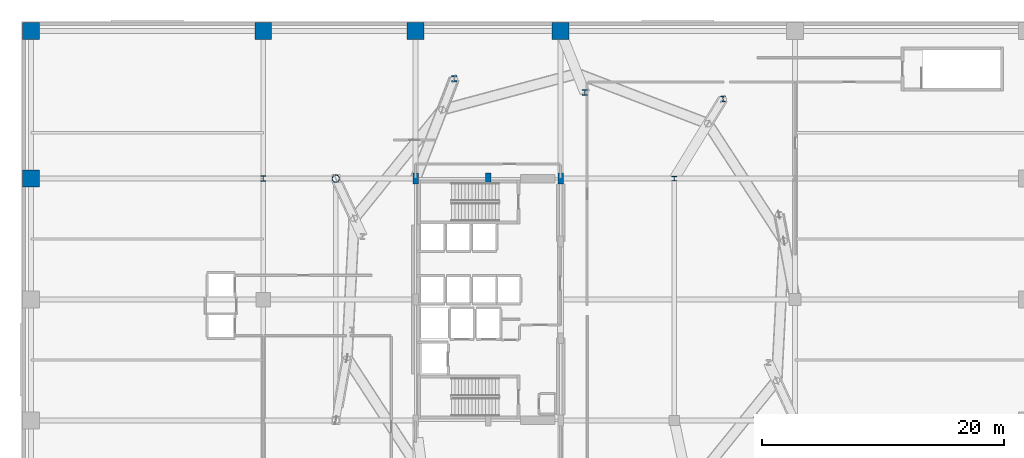
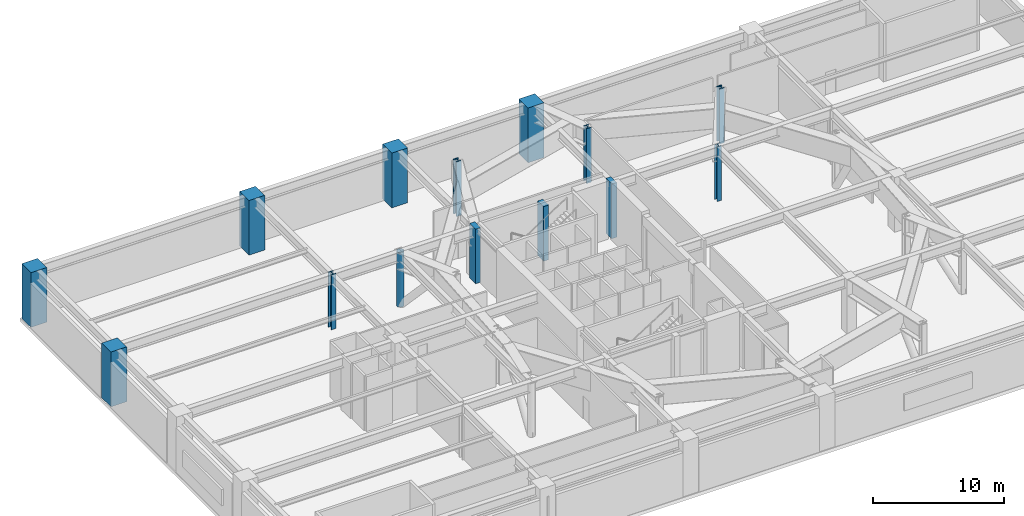
# One storey, part 2 of 12: 14 columns.
"""IFC4 building model written with IfcOpenShell, lengths in metres."""

from ifc_helpers import new_model, si_unit, direction, frame, origin, origin_2d, place, context, subcontext, project, spatial, rectangle, hollow_circle, i_section, extrude, material, material_profile, profile_set, type_object, element, save


model = new_model("IFC4")

# Units and contexts
model_context = context("Model", 3, precision=1e-05, world=origin(), true_north=direction((0.0, 1.0)))
body_context = subcontext(model_context, "Body", "Model", "MODEL_VIEW")
ifc_project = project(units=[si_unit("LENGTHUNIT", "METRE"), si_unit("AREAUNIT", "SQUARE_METRE"), si_unit("VOLUMEUNIT", "CUBIC_METRE"), si_unit("PLANEANGLEUNIT", "RADIAN"), si_unit("MASSUNIT", "GRAM", prefix="KILO")], contexts=[model_context])

# Site, building, storey
site_placement = place(None, origin())
site = spatial("IfcSite", under=ifc_project, at=site_placement, CompositionType="ELEMENT")
building_placement = place(site_placement, origin())
building = spatial("IfcBuilding", under=site, at=building_placement, Name="Soratama Intermodal Tower", CompositionType="ELEMENT")
storey_placement = place(building_placement, frame((0.0, 0.0, 25.199951171875)))
storey = spatial("IfcBuildingStorey", under=building, at=storey_placement, Name="L05", CompositionType="ELEMENT", Elevation=25.199951171875)

# Columns
ifc_material_1 = material(Name="Structural steel ASTM A992 Grade 50", Category="steel")
ifc_material_profile_1 = material_profile(ifc_material_1, i_section(OverallWidth=0.39404296875, OverallDepth=0.375, WebThickness=0.017333984375, FlangeThickness=0.027587890625, FilletRadius=0.0380859375, at=origin_2d()), Name="W14X145")
ifc_profile_set_1 = profile_set([ifc_material_profile_1], Name="Structural steel ASTM A992 Grade 50")
column_type_1 = type_object("IfcColumnType", Name="COL-INT-W14X145", PredefinedType="COLUMN", material=ifc_profile_set_1)
column_1_placement = place(storey_placement, frame((54.0, 35.0, 0.0), z_axis=(0.0, 0.0, 1.0), x_axis=(1.0, 0.0, 0.0)))
element("IfcColumn", 1, at=column_1_placement, inside=storey, type_object=column_type_1, Name="L05 Station Column P26", PredefinedType="COLUMN", context=body_context, shape_type="SweptSolid", body=[
    extrude(i_section(OverallWidth=0.39404296875, OverallDepth=0.375, WebThickness=0.017333984375, FlangeThickness=0.027587890625, FilletRadius=0.0380859375, at=origin_2d()), origin(), (0.0, 0.0, 1.0), 5.10009765625),
])
ifc_material_2 = material(Name="Concrete f'c 56 MPa", Category="concrete")
ifc_material_profile_2 = material_profile(ifc_material_2, rectangle(XDim=1.39990234375, YDim=1.39990234375, at=origin_2d()), Name="RC1400X1400")
ifc_profile_set_2 = profile_set([ifc_material_profile_2], Name="Concrete f'c 56 MPa")
column_type_2 = type_object("IfcColumnType", Name="COL-POD-EXT-RC1400", PredefinedType="COLUMN", material=ifc_profile_set_2)
for number, where, z_axis, x_axis, name in (
    (2, (0.800048828125, 35.0, 0.0), (0.0, 0.0, 1.0), (1.0, 0.0, 0.0), "L05 Station Column P09"),
    (3, (0.800048828125, 47.199951171875, 0.0), (0.0, 0.0, 1.0), (1.0, 0.0, 0.0), "L05 Station Column P13"),
    (4, (20.0, 47.199951171875, 0.0), (0.0, 0.0, 1.0), (1.0, 0.0, 0.0), "L05 Station Column P14"),
    (5, (32.60009765625, 47.199951171875, 0.0), (0.0, 0.0, 1.0), (1.0, 0.0, 0.0), "L05 Station Column P23"),
    (6, (44.60009765625, 47.199951171875, 0.0), (0.0, 0.0, 1.0), (1.0, 0.0, 0.0), "L05 Station Column P24"),
):
    element("IfcColumn", number, at=place(storey_placement, frame(where, z_axis=z_axis, x_axis=x_axis)), inside=storey, type_object=column_type_2, Name=name, PredefinedType="COLUMN", context=body_context, shape_type="SweptSolid", body=[
        extrude(rectangle(XDim=1.39990234375, YDim=1.39990234375, at=origin_2d()), origin(), (0.0, 0.0, 1.0), 5.10009765625),
    ])
ifc_material_3 = material(Name="Structural steel ASTM A992 Grade 50", Category="steel")
ifc_material_profile_3 = material_profile(ifc_material_3, i_section(OverallWidth=0.431884765625, OverallDepth=0.498046875, WebThickness=0.0556640625, FlangeThickness=0.0888671875, FilletRadius=0.0380859375, at=origin_2d()), Name="W14X500")
ifc_profile_set_3 = profile_set([ifc_material_profile_3], Name="Structural steel ASTM A992 Grade 50")
column_type_3 = type_object("IfcColumnType", Name="COL-POD-W14X500", PredefinedType="COLUMN", material=ifc_profile_set_3)
for number, where, z_axis, x_axis, name in (
    (7, (20.0, 35.0, 0.0), (0.0, 0.0, 1.0), (1.0, 0.0, 0.0), "L05 Station Column P10"),
    (8, (58.031982421875, 41.594970703125, 0.0), (0.0, 0.0, 1.0), (1.0, 0.0, 0.0), "L05 Station Column P30"),
    (9, (46.60107421875, 42.116943359375, 0.0), (0.0, 0.0, 1.0), (1.0, 0.0, 0.0), "L05 Station Column P31"),
    (10, (35.7958984375, 43.264892578125, 0.0), (0.0, 0.0, 1.0), (1.0, 0.0, 0.0), "L05 Station Column P32"),
):
    element("IfcColumn", number, at=place(storey_placement, frame(where, z_axis=z_axis, x_axis=x_axis)), inside=storey, type_object=column_type_3, Name=name, PredefinedType="COLUMN", context=body_context, shape_type="SweptSolid", body=[
        extrude(i_section(OverallWidth=0.431884765625, OverallDepth=0.498046875, WebThickness=0.0556640625, FlangeThickness=0.0888671875, FilletRadius=0.0380859375, at=origin_2d()), origin(), (0.0, 0.0, 1.0), 5.10009765625),
    ])
ifc_material_4 = material(Name="Structural steel ASTM A500 Grade C", Category="steel")
ifc_material_profile_4 = material_profile(ifc_material_4, hollow_circle(Radius=0.304931640625, WallThickness=0.02197265625, at=origin_2d()), Name="CHS610X22")
ifc_profile_set_4 = profile_set([ifc_material_profile_4], Name="Structural steel ASTM A500 Grade C")
column_type_4 = type_object("IfcColumnType", Name="COL-POOL-CHS610", PredefinedType="COLUMN", material=ifc_profile_set_4)
column_2_placement = place(storey_placement, frame((26.0, 35.0, 0.0), z_axis=(0.0, 0.0, 1.0), x_axis=(1.0, 0.0, 0.0)))
element("IfcColumn", 11, at=column_2_placement, inside=storey, type_object=column_type_4, Name="L05 Station Column P28", PredefinedType="COLUMN", context=body_context, shape_type="SweptSolid", body=[
    extrude(hollow_circle(Radius=0.304931640625, WallThickness=0.02197265625, at=origin_2d()), origin(), (0.0, 0.0, 1.0), 5.070068359375),
])
ifc_material_5 = material(Name="Concrete f'c 56 MPa", Category="concrete")
ifc_material_profile_5 = material_profile(ifc_material_5, rectangle(XDim=0.449951171875, YDim=0.89990234375, at=origin_2d()), Name="RC450X900")
ifc_profile_set_5 = profile_set([ifc_material_profile_5], Name="Concrete f'c 56 MPa")
column_type_5 = type_object("IfcColumnType", Name="PIL-CORE-450X900", PredefinedType="PILASTER", material=ifc_profile_set_5)
for number, where, z_axis, x_axis, name in (
    (12, (32.60009765625, 35.0, 0.0), (0.0, 0.0, 1.0), (1.0, 0.0, 0.0), "L05 Core Pilaster 3"),
    (13, (38.60009765625, 35.0, 0.0), (0.0, 0.0, 1.0), (1.0, 0.0, 0.0), "L05 Core Pilaster 5"),
    (14, (44.60009765625, 35.0, 0.0), (0.0, 0.0, 1.0), (1.0, 0.0, 0.0), "L05 Core Pilaster 9"),
):
    element("IfcColumn", number, at=place(storey_placement, frame(where, z_axis=z_axis, x_axis=x_axis)), inside=storey, type_object=column_type_5, Name=name, PredefinedType="PILASTER", context=body_context, shape_type="SweptSolid", body=[
        extrude(rectangle(XDim=0.449951171875, YDim=0.89990234375, at=origin_2d()), origin(), (0.0, 0.0, 1.0), 5.10009765625),
    ])

save(model, "model.ifc")
